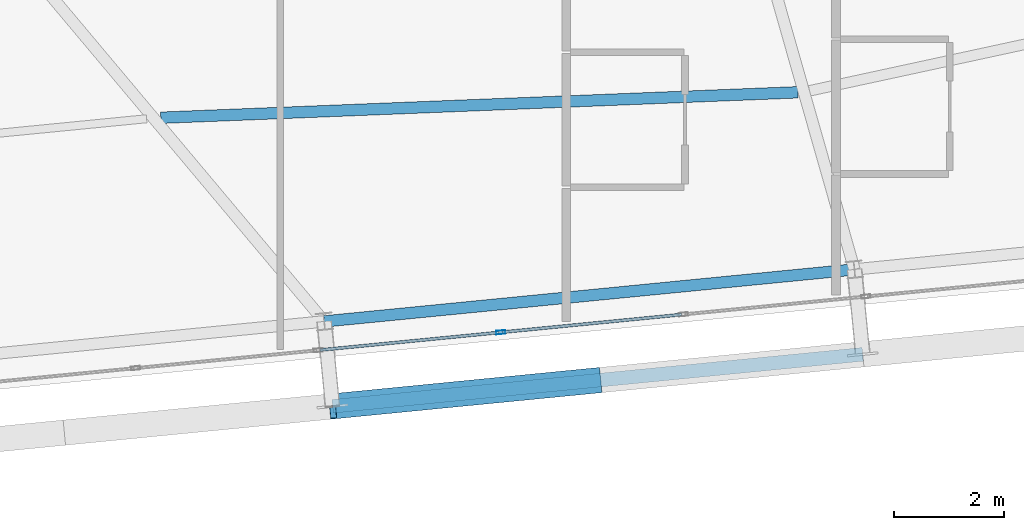
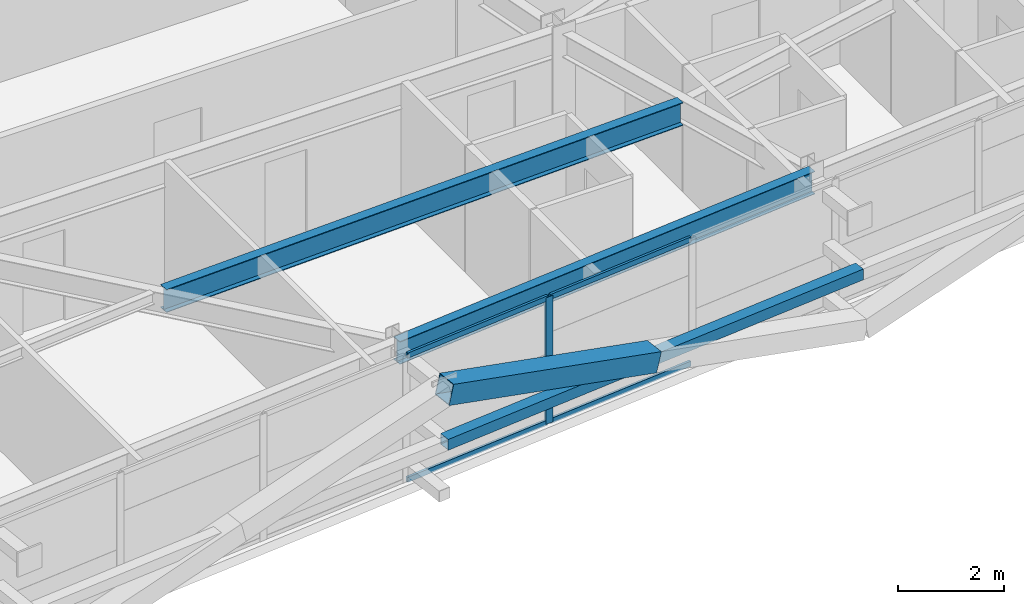
# One storey, part 11 of 54: 7 members, 2 beams, 1 element without a shape of its own.
"""IFC4 building model written with IfcOpenShell, lengths in metres."""

from ifc_helpers import new_model, si_unit, direction, frame, origin, origin_2d, place, context, subcontext, project, spatial, hollow_rectangle, i_section, extrude, source, transform, mapped, material, layer, layer_set, material_profile, profile_set, type_object, element, aggregate, save


model = new_model("IFC4")

# Units and contexts
model_context = context("Model", 3, precision=1e-05, world=origin(), true_north=direction((0.0, 1.0)))
body_context = subcontext(model_context, "Body", "Model", "MODEL_VIEW")
ifc_project = project(units=[si_unit("LENGTHUNIT", "METRE"), si_unit("AREAUNIT", "SQUARE_METRE"), si_unit("VOLUMEUNIT", "CUBIC_METRE"), si_unit("PLANEANGLEUNIT", "RADIAN"), si_unit("MASSUNIT", "GRAM", prefix="KILO")], contexts=[model_context])

# Site, building, storey
site_placement = place(None, origin())
site = spatial("IfcSite", under=ifc_project, at=site_placement, CompositionType="ELEMENT")
building_placement = place(site_placement, origin())
building = spatial("IfcBuilding", under=site, at=building_placement, Name="Taldren Reach Tower", CompositionType="ELEMENT")
storey_placement = place(building_placement, frame((0.0, 0.0, 102.89990234375)))
storey = spatial("IfcBuildingStorey", under=building, at=storey_placement, Name="L31", CompositionType="ELEMENT", Elevation=102.89990234375)

# Beams
ifc_material_1 = material(Name="Steel Gr 350 (350PLUS)", Category="steel")
ifc_material_profile_1 = material_profile(ifc_material_1, i_section(OverallWidth=0.208984375, OverallDepth=0.528076171875, WebThickness=0.009521484375, FlangeThickness=0.01318359375, at=origin_2d()), Name="530UB82.0")
ifc_profile_set_1 = profile_set([ifc_material_profile_1], Name="Steel Gr 350 (350PLUS)")
beam_type_1 = type_object("IfcBeamType", Name="SP-UB530B", PredefinedType="SPANDREL", material=ifc_profile_set_1)
shared_shape_1 = source(origin(), body_context, "Body", "SweptSolid", [
    extrude(i_section(OverallWidth=0.208984375, OverallDepth=0.528076171875, WebThickness=0.009521484375, FlangeThickness=0.01318359375, at=origin_2d()), origin(), (0.0, 0.0, 1.0), 9.679931640625),
])
beam_1_placement = place(storey_placement, frame((34.20166015625, 1.809326171875, 2.666015625), z_axis=(0.995227612658, 0.097580730699, 0.0), x_axis=(-0.097580730699, 0.995227612658, 0.0)))
element("IfcBeam", 1, at=beam_1_placement, inside=storey, type_object=beam_type_1, Name="Perimeter spandrel B2 S3-S4 L31", PredefinedType="SPANDREL", context=body_context, shape_type="MappedRepresentation", body=[
    mapped(shared_shape_1, transform((0.0, 0.0, 0.0), scale=1.0)),
])
ifc_material_profile_2 = material_profile(ifc_material_1, i_section(OverallWidth=0.208984375, OverallDepth=0.532958984375, WebThickness=0.01025390625, FlangeThickness=0.015625, at=origin_2d()), Name="530UB92.4")
ifc_profile_set_2 = profile_set([ifc_material_profile_2], Name="Steel Gr 350 (350PLUS)")
beam_type_2 = type_object("IfcBeamType", Name="BM-UB530A", PredefinedType="BEAM", material=ifc_profile_set_2)
shared_shape_2 = source(origin(), body_context, "Body", "SweptSolid", [
    extrude(i_section(OverallWidth=0.208984375, OverallDepth=0.532958984375, WebThickness=0.01025390625, FlangeThickness=0.015625, at=origin_2d()), origin(), (0.0, 0.0, 1.0), 11.586669921875),
])
beam_2_placement = place(storey_placement, frame((31.23291015625, 5.510009765625, 2.66357421875), z_axis=(0.999202506312, 0.039929329821, 0.0), x_axis=(-0.039929329821, 0.999202506312, 0.0)))
element("IfcBeam", 2, at=beam_2_placement, inside=storey, type_object=beam_type_2, Name="Secondary floor beam B2 J3 L31", PredefinedType="BEAM", context=body_context, shape_type="MappedRepresentation", body=[
    mapped(shared_shape_2, transform((0.0, 0.0, 0.0), scale=1.0)),
])

# Members
ifc_material_2 = material(Name="Steel Gr 450 (C450L0)", Category="steel")
ifc_material_profile_3 = material_profile(ifc_material_2, hollow_rectangle(XDim=0.4599609375, YDim=0.4599609375, WallThickness=0.01611328125, at=origin_2d()), Name="460x460x16.0SHS")
ifc_profile_set_3 = profile_set([ifc_material_profile_3], Name="Steel Gr 450 (C450L0)")
member_type_1 = type_object("IfcMemberType", Name="MB-EXO457", PredefinedType="BRACE", material=ifc_profile_set_3)
shared_shape_3 = source(origin(), body_context, "Body", "SweptSolid", [
    extrude(hollow_rectangle(XDim=0.4599609375, YDim=0.4599609375, WallThickness=0.01611328125, at=origin_2d()), origin(), (0.0, 0.0, 1.0), 4.990234375),
])
member_1_placement = place(storey_placement, frame((39.169921875, 0.739013671875, 1.43505859375), z_axis=(-0.965271056716, -0.094667992638, 0.243494883389), x_axis=(0.097605711627, -0.995225162995, 0.0)))
element("IfcMember", 3, at=member_1_placement, inside=storey, type_object=member_type_1, Name="Exoskeleton Diagrid Brace B2-S3 L31", PredefinedType="BRACE", context=body_context, shape_type="MappedRepresentation", body=[
    mapped(shared_shape_3, transform((0.0, 0.0, 0.0), scale=1.0)),
])
ifc_material_3 = material(Name="Steel Gr 350 (C350L0)", Category="steel")
ifc_material_profile_4 = material_profile(ifc_material_3, hollow_rectangle(XDim=0.25, YDim=0.25, WallThickness=0.010009765625, at=origin_2d()), Name="250x250x10.0SHS")
ifc_profile_set_4 = profile_set([ifc_material_profile_4], Name="Steel Gr 350 (C350L0)")
member_type_2 = type_object("IfcMemberType", Name="MB-POST250", PredefinedType="POST", material=ifc_profile_set_4)
shared_shape_4 = source(origin(), body_context, "Body", "SweptSolid", [
    extrude(hollow_rectangle(XDim=0.25, YDim=0.25, WallThickness=0.010009765625, at=origin_2d()), origin(), (0.0, 0.0, 1.0), 9.679931640625),
])
member_2_placement = place(storey_placement, frame((34.35302734375, 0.2666015625, 1.43505859375), z_axis=(0.995225162995, 0.097605711627, 0.0), x_axis=(-0.097605711627, 0.995225162995, 0.0)))
element("IfcMember", 4, at=member_2_placement, inside=storey, type_object=member_type_2, Name="Exoskeleton mid-height ring chord B2-S3 L31", PredefinedType="POST", context=body_context, shape_type="MappedRepresentation", body=[
    mapped(shared_shape_4, transform((0.0, 0.0, 0.0), scale=1.0)),
])

# Curtain wall, members
ifc_material_4 = material(Name="Aluminium and Low-E Glass Unitised System", Category="aluminium")
ifc_layer = layer(ifc_material_4, 0.159912109375)
ifc_layer_set = layer_set([ifc_layer], Name="Aluminium and Low-E Glass Unitised System")
curtain_wall_type = type_object("IfcCurtainWallType", Name="CW-SYS-3", PredefinedType="NOTDEFINED", material=ifc_layer_set)
curtain_wall_placement = place(storey_placement, origin())
curtain_wall = element("IfcCurtainWall", 5, at=curtain_wall_placement, inside=storey, type_object=curtain_wall_type, Name="Unitised curtain wall CW-L31-S", PredefinedType="NOTDEFINED")
ifc_material_5 = material(Name="Anodised Aluminium 6063-T6", Category="aluminium")
ifc_material_profile_5 = material_profile(ifc_material_5, hollow_rectangle(XDim=0.06494140625, YDim=0.1650390625, WallThickness=0.00390625, at=origin_2d()), Name="ALU-165x65x4RHS")
ifc_profile_set_5 = profile_set([ifc_material_profile_5], Name="Anodised Aluminium 6063-T6")
member_type_3 = type_object("IfcMemberType", Name="CW-MUL-165", PredefinedType="MULLION", material=ifc_profile_set_5)
shared_shape_5 = source(origin(), body_context, "Body", "SweptSolid", [
    extrude(hollow_rectangle(XDim=0.06494140625, YDim=0.1650390625, WallThickness=0.00390625, at=origin_2d()), origin(), (0.0, 0.0, 1.0), 2.93017578125),
])
member_3_placement = place(storey_placement, frame((37.40966796875, 1.611328125, 0.0), z_axis=(0.0, 0.0, 1.0), x_axis=(-0.097582999046, 0.995227390247, 0.0)))
member_3 = element("IfcMember", 6, at=member_3_placement, type_object=member_type_3, Name="CW-3 mullion 8", PredefinedType="MULLION", context=body_context, shape_type="MappedRepresentation", body=[
    mapped(shared_shape_5, transform((0.0, 0.0, 0.0), scale=1.0)),
])
ifc_material_profile_6 = material_profile(ifc_material_5, hollow_rectangle(XDim=0.054931640625, YDim=0.1201171875, WallThickness=0.0029296875, at=origin_2d()), Name="ALU-120x55x3RHS")
ifc_profile_set_6 = profile_set([ifc_material_profile_6], Name="Anodised Aluminium 6063-T6")
member_type_4 = type_object("IfcMemberType", Name="CW-TRN-135", PredefinedType="USERDEFINED", material=ifc_profile_set_6)
shared_shape_6 = source(origin(), body_context, "Body", "SweptSolid", [
    extrude(hollow_rectangle(XDim=0.054931640625, YDim=0.1201171875, WallThickness=0.0029296875, at=origin_2d()), origin(), (0.0, 0.0, 1.0), 3.268310546875),
])
member_4_placement = place(storey_placement, frame((34.124755859375, 1.289306640625, 0.027587890625), z_axis=(0.99522980512, 0.097558367146, 0.0), x_axis=(-0.097558367146, 0.99522980512, 0.0)))
member_4 = element("IfcMember", 7, at=member_4_placement, type_object=member_type_4, Name="CW-3 transom 7.1", ObjectType="TRANSOM", PredefinedType="USERDEFINED", context=body_context, shape_type="MappedRepresentation", body=[
    mapped(shared_shape_6, transform((0.0, 0.0, 0.0), scale=1.0)),
])
member_5_placement = place(storey_placement, frame((34.124755859375, 1.289306640625, 2.902587890625), z_axis=(0.99522980512, 0.097558367146, 0.0), x_axis=(-0.097558367146, 0.99522980512, 0.0)))
member_5 = element("IfcMember", 8, at=member_5_placement, type_object=member_type_4, Name="CW-3 transom 7.2", ObjectType="TRANSOM", PredefinedType="USERDEFINED", context=body_context, shape_type="MappedRepresentation", body=[
    mapped(shared_shape_6, transform((0.0, 0.0, 0.0), scale=1.0)),
])
member_6_placement = place(storey_placement, frame((37.442138671875, 1.614501953125, 0.027587890625), z_axis=(0.995222549564, 0.097632355496, 0.0), x_axis=(-0.097632355496, 0.995222549564, 0.0)))
member_6 = element("IfcMember", 9, at=member_6_placement, type_object=member_type_4, Name="CW-3 transom 8.1", ObjectType="TRANSOM", PredefinedType="USERDEFINED", context=body_context, shape_type="MappedRepresentation", body=[
    mapped(shared_shape_6, transform((0.0, 0.0, 0.0), scale=1.0)),
])
member_7_placement = place(storey_placement, frame((37.442138671875, 1.614501953125, 2.902587890625), z_axis=(0.995222549564, 0.097632355496, 0.0), x_axis=(-0.097632355496, 0.995222549564, 0.0)))
member_7 = element("IfcMember", 10, at=member_7_placement, type_object=member_type_4, Name="CW-3 transom 8.2", ObjectType="TRANSOM", PredefinedType="USERDEFINED", context=body_context, shape_type="MappedRepresentation", body=[
    mapped(shared_shape_6, transform((0.0, 0.0, 0.0), scale=1.0)),
])
aggregate(curtain_wall, [member_3, member_4, member_5, member_6, member_7])

save(model, "model.ifc")
